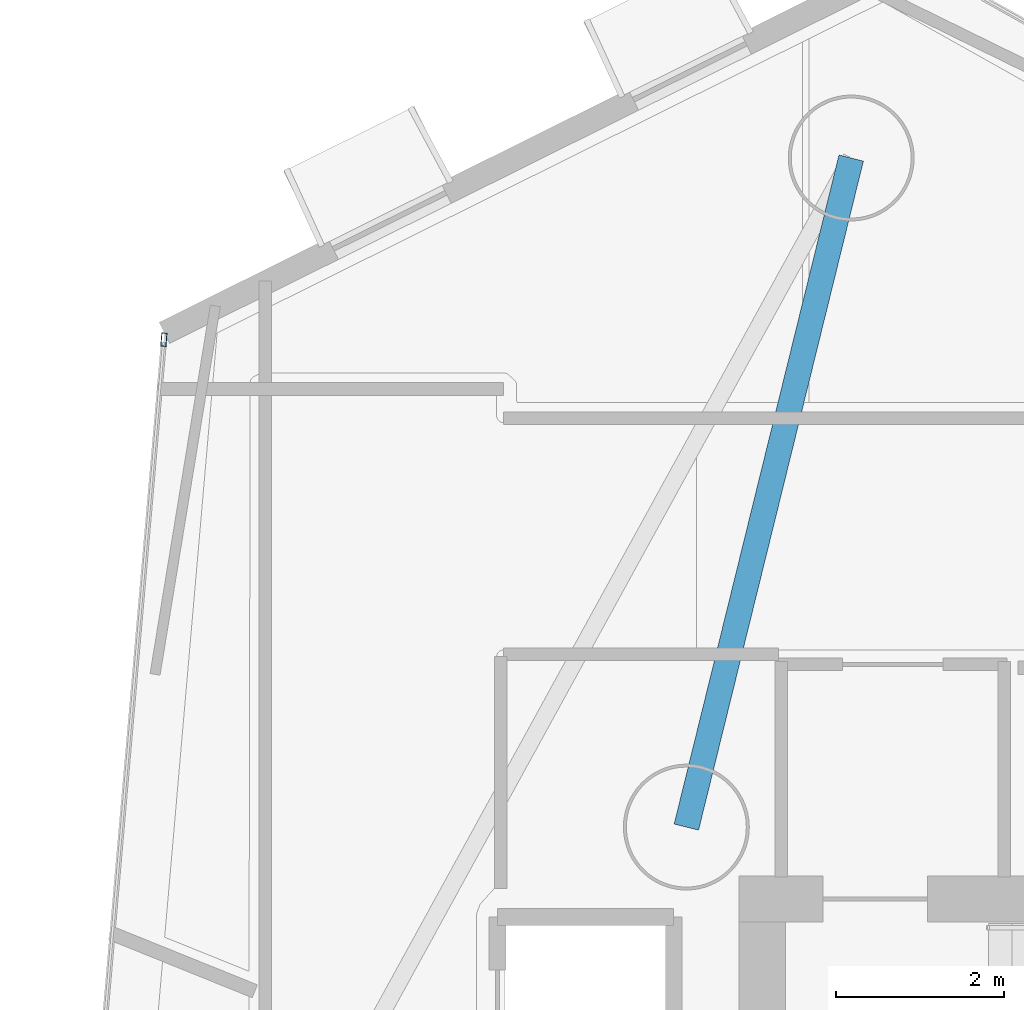
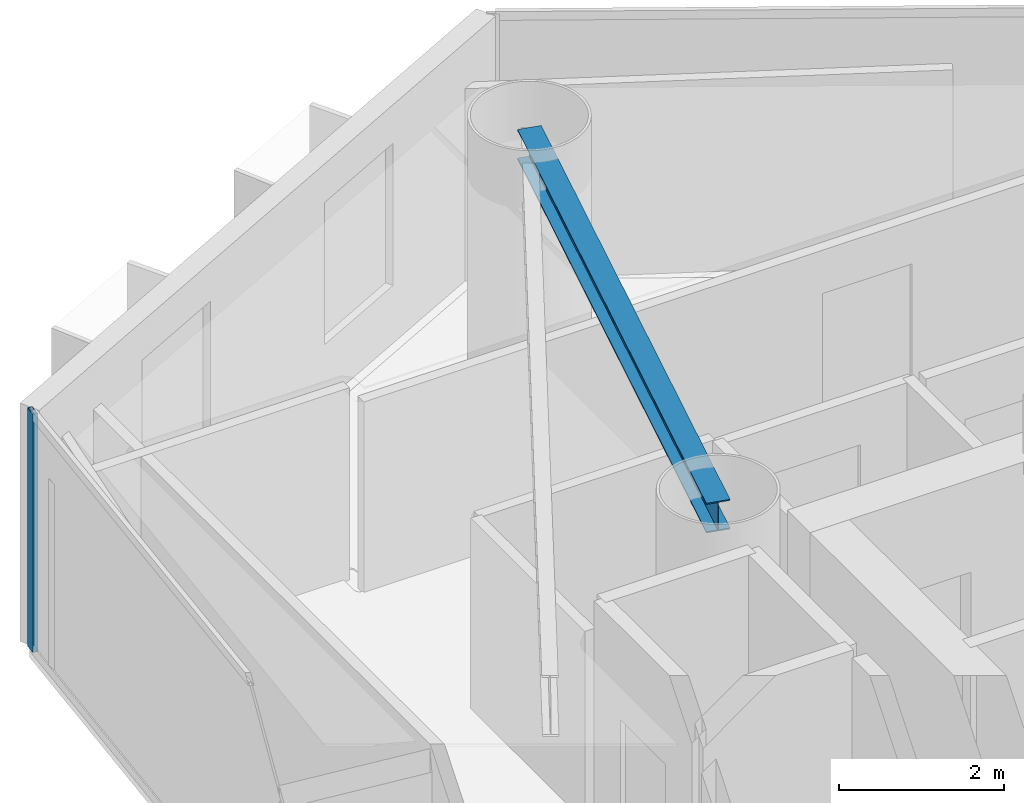
# One storey, part 8 of 19: 1 beam, 1 member, 1 element without a shape of its own.
"""IFC4 building model written with IfcOpenShell, lengths in metres."""

from ifc_helpers import new_model, si_unit, direction, frame, origin, origin_2d, place, context, subcontext, project, spatial, hollow_rectangle, i_section, extrude, material, layer, layer_set, material_profile, profile_set, type_object, element, aggregate, save


model = new_model("IFC4")

# Units and contexts
model_context = context("Model", 3, precision=1e-05, world=origin(), true_north=direction((0.0, 1.0)))
body_context = subcontext(model_context, "Body", "Model", "MODEL_VIEW")
ifc_project = project(units=[si_unit("LENGTHUNIT", "METRE"), si_unit("AREAUNIT", "SQUARE_METRE"), si_unit("VOLUMEUNIT", "CUBIC_METRE"), si_unit("PLANEANGLEUNIT", "RADIAN"), si_unit("MASSUNIT", "GRAM", prefix="KILO")], contexts=[model_context])

# Site, building, storey
site_placement = place(None, origin())
site = spatial("IfcSite", under=ifc_project, at=site_placement, CompositionType="ELEMENT")
building_placement = place(site_placement, origin())
building = spatial("IfcBuilding", under=site, at=building_placement, Name="Qianvela Tower", CompositionType="ELEMENT")
storey_placement = place(building_placement, frame((0.0, 0.0, 123.699951171875)))
storey = spatial("IfcBuildingStorey", under=building, at=storey_placement, Name="L31", CompositionType="ELEMENT", Elevation=123.699951171875)

# Beam
ifc_material_1 = material(Name="Steel Q355B", Category="steel")
ifc_material_profile_1 = material_profile(ifc_material_1, i_section(OverallWidth=0.300048828125, OverallDepth=0.43994140625, WebThickness=0.010986328125, FlangeThickness=0.01806640625, at=origin_2d()), Name="HM440x300x11x18")
ifc_profile_set_1 = profile_set([ifc_material_profile_1], Name="Steel Q355B")
beam_type = type_object("IfcBeamType", Name="BM-HM440-COLL", PredefinedType="BEAM", material=ifc_profile_set_1)
beam_placement = place(storey_placement, frame((28.60009765625, 33.550048828125, 3.298095703125), z_axis=(0.239224384232, 0.970964311388, 0.0), x_axis=(-0.970964311388, 0.239224384232, 0.0)))
element("IfcBeam", 1, at=beam_placement, inside=storey, type_object=beam_type, Name="L31 Perimeter Ring Tie Girder 2B", PredefinedType="BEAM", context=body_context, shape_type="SweptSolid", body=[
    extrude(i_section(OverallWidth=0.300048828125, OverallDepth=0.43994140625, WebThickness=0.010986328125, FlangeThickness=0.01806640625, at=origin_2d()), origin(), (0.0, 0.0, 1.0), 8.209228515625),
])

# Curtain wall, member
ifc_material_2 = material(Name="Anodised Architectural Aluminium and Low-E Glass", Category="aluminium")
ifc_layer = layer(ifc_material_2, 0.169921875)
ifc_layer_set = layer_set([ifc_layer], Name="Anodised Architectural Aluminium and Low-E Glass")
curtain_wall_type = type_object("IfcCurtainWallType", Name="CW-COLIV-Z34", PredefinedType="USERDEFINED", material=ifc_layer_set)
curtain_wall_placement = place(storey_placement, origin())
curtain_wall = element("IfcCurtainWall", 2, at=curtain_wall_placement, inside=storey, type_object=curtain_wall_type, Name="L31 CW-COLIV-Z34 Curtain Wall 04A", ObjectType="CURTAIN_WALL_SYSTEM", PredefinedType="USERDEFINED")
ifc_material_3 = material(Name="Anodised Architectural Aluminium 6063-T6", Category="aluminium")
ifc_material_profile_2 = material_profile(ifc_material_3, hollow_rectangle(XDim=0.06494140625, YDim=0.159912109375, WallThickness=0.0048828125, at=origin_2d()), Name="ALU-MULL-65x160")
ifc_profile_set_2 = profile_set([ifc_material_profile_2], Name="Anodised Architectural Aluminium 6063-T6")
member_type = type_object("IfcMemberType", Name="CW-COLIV-Z34-MULL", PredefinedType="MULLION", material=ifc_profile_set_2)
member_placement = place(storey_placement, frame((22.37548828125, 39.35693359375, 0.0), z_axis=(0.0, 0.0, 1.0), x_axis=(0.996255436991, -0.086458685307, 0.0)))
member = element("IfcMember", 3, at=member_placement, type_object=member_type, Name="CW-4 mullion 1", PredefinedType="MULLION", context=body_context, shape_type="SweptSolid", body=[
    extrude(hollow_rectangle(XDim=0.06494140625, YDim=0.159912109375, WallThickness=0.0048828125, at=origin_2d()), origin(), (0.0, 0.0, 1.0), 3.52001953125),
])
aggregate(curtain_wall, [member])

save(model, "model.ifc")
